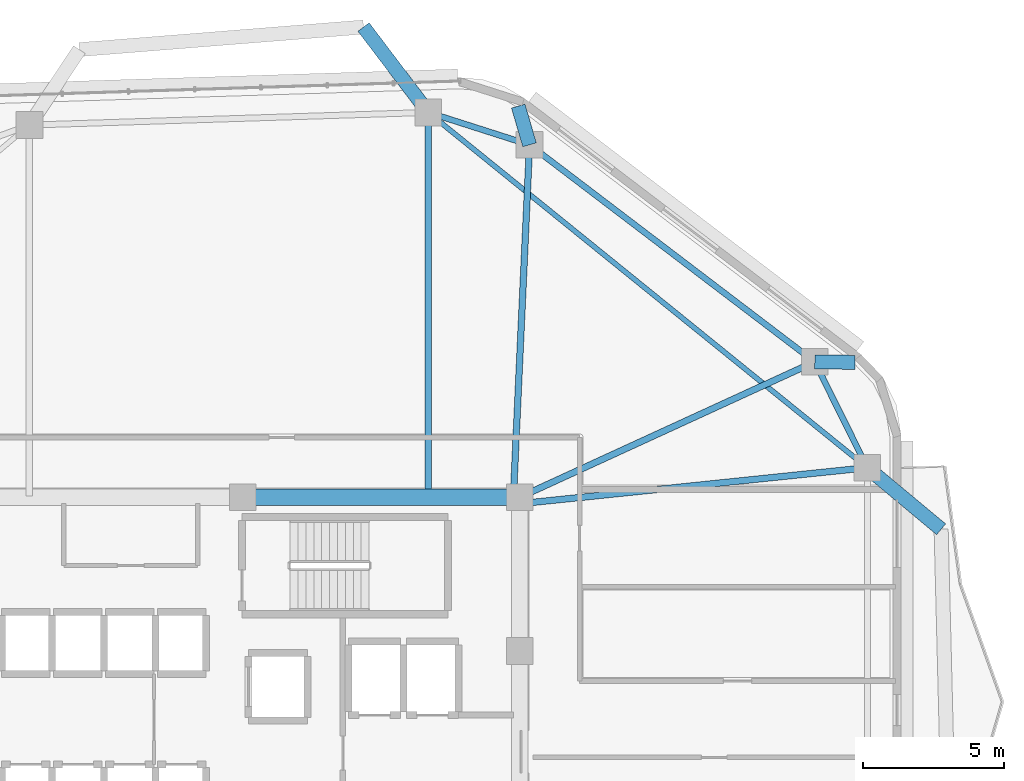
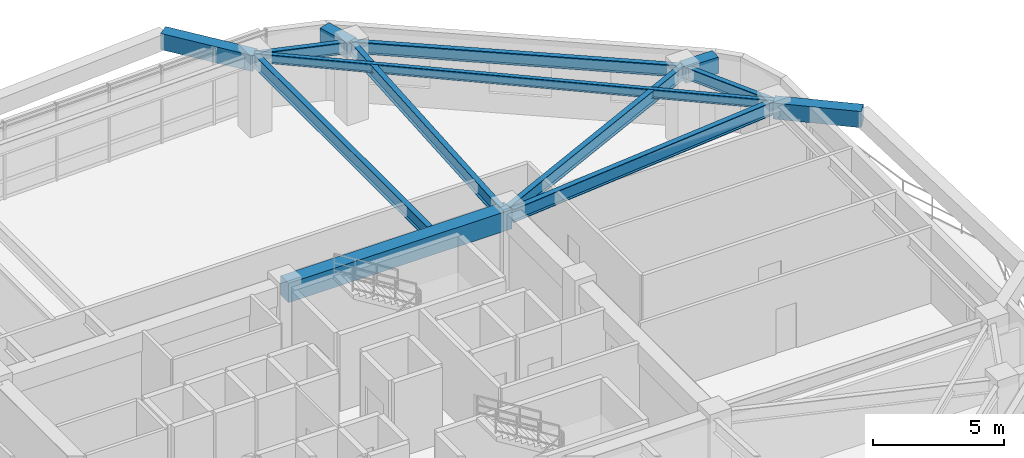
# One storey, part 3 of 12: 13 beams.
"""IFC4 building model written with IfcOpenShell, lengths in metres."""

from ifc_helpers import new_model, si_unit, direction, frame, origin, origin_2d, place, context, subcontext, project, spatial, rectangle, i_section, extrude, material, material_profile, profile_set, type_object, element, save


model = new_model("IFC4")

# Units and contexts
model_context = context("Model", 3, precision=1e-05, world=origin(), true_north=direction((0.0, 1.0)))
body_context = subcontext(model_context, "Body", "Model", "MODEL_VIEW")
ifc_project = project(units=[si_unit("LENGTHUNIT", "METRE"), si_unit("AREAUNIT", "SQUARE_METRE"), si_unit("VOLUMEUNIT", "CUBIC_METRE"), si_unit("PLANEANGLEUNIT", "RADIAN"), si_unit("MASSUNIT", "GRAM", prefix="KILO")], contexts=[model_context])

# Site, building, storey
site_placement = place(None, origin())
site = spatial("IfcSite", under=ifc_project, at=site_placement, CompositionType="ELEMENT")
building_placement = place(site_placement, origin())
building = spatial("IfcBuilding", under=site, at=building_placement, Name="Zulverin Broadcast Headquarters", CompositionType="ELEMENT")
storey_placement = place(building_placement, frame((0.0, 0.0, 170.60009765625)))
storey = spatial("IfcBuildingStorey", under=building, at=storey_placement, Name="L43", CompositionType="ELEMENT", Elevation=170.60009765625)

# Beams
ifc_material_1 = material(Name="Concrete C60/75", Category="concrete")
ifc_material_profile_1 = material_profile(ifc_material_1, rectangle(XDim=0.60009765625, YDim=0.89990234375, at=origin_2d()), Name="Concrete C60/75", Category="concrete")
ifc_profile_set_1 = profile_set([ifc_material_profile_1], Name="Concrete C60/75")
beam_type_1 = type_object("IfcBeamType", Name="BM-CB-600x900", PredefinedType="LINTEL", material=ifc_profile_set_1)
beam_1_placement = place(storey_placement, frame((48.27490234375, 33.074951171875, 3.08984375), z_axis=(-1.0, 0.0, 0.0), x_axis=(0.0, -1.0, 0.0)))
element("IfcBeam", 1, at=beam_1_placement, inside=storey, type_object=beam_type_1, Name="L43 Core Coupling Girder K05-K06", PredefinedType="LINTEL", context=body_context, shape_type="SweptSolid", body=[
    extrude(rectangle(XDim=0.60009765625, YDim=0.89990234375, at=origin_2d()), origin(), (0.0, 0.0, 1.0), 9.824951171875),
])
ifc_material_2 = material(Name="Concrete C40/50", Category="concrete")
ifc_material_profile_2 = material_profile(ifc_material_2, rectangle(XDim=0.5, YDim=0.75, at=origin_2d()), Name="Concrete C40/50", Category="concrete")
ifc_profile_set_2 = profile_set([ifc_material_profile_2], Name="Concrete C40/50")
beam_type_2 = type_object("IfcBeamType", Name="BM-RC-500x750", PredefinedType="BEAM", material=ifc_profile_set_2)
for number, where, z_axis, x_axis, name in (
    (2, (58.738037109375, 37.877685546875, 3.164794921875), (0.99990438472, -0.013828283279, 0.0), (0.013828283279, 0.99990438472, 0.0), "L44 Plate Overhang Back-Spanned Beam OVR-07"),
    (3, (48.62158203125, 45.574951171875, 3.164794921875), (-0.28015077605, 0.959956010804, 0.0), (-0.959956010804, -0.28015077605, 0.0), "L44 Plate Overhang Back-Spanned Beam OVR-08"),
):
    element("IfcBeam", number, at=place(storey_placement, frame(where, z_axis=z_axis, x_axis=x_axis)), inside=storey, type_object=beam_type_2, Name=name, PredefinedType="BEAM", context=body_context, shape_type="SweptSolid", body=[
        extrude(rectangle(XDim=0.5, YDim=0.75, at=origin_2d()), origin(), (0.0, 0.0, 1.0), 1.43017578125),
    ])
beam_2_placement = place(storey_placement, frame((60.60009765625, 34.12158203125, 3.164794921875), z_axis=(0.768414935557, -0.639951941019, 0.0), x_axis=(0.639951941019, 0.768414935557, 0.0)))
element("IfcBeam", 4, at=beam_2_placement, inside=storey, type_object=beam_type_2, Name="L44 Balcony Column-Framed Cantilever BAL_E-2", PredefinedType="BEAM", context=body_context, shape_type="SweptSolid", body=[
    extrude(rectangle(XDim=0.5, YDim=0.75, at=origin_2d()), origin(), (0.0, 0.0, 1.0), 3.409423828125),
])
beam_3_placement = place(storey_placement, frame((45.027587890625, 46.7236328125, 3.164794921875), z_axis=(-0.603735220489, 0.797184911762, 0.0), x_axis=(-0.797184911762, -0.603735220489, 0.0)))
element("IfcBeam", 5, at=beam_3_placement, inside=storey, type_object=beam_type_2, Name="L44 Balcony Column-Framed Cantilever BAL_N-1", PredefinedType="BEAM", context=body_context, shape_type="SweptSolid", body=[
    extrude(rectangle(XDim=0.5, YDim=0.75, at=origin_2d()), origin(), (0.0, 0.0, 1.0), 3.800048828125),
])
ifc_material_3 = material(Name="Structural steel S355JR", Category="steel")
ifc_material_profile_3 = material_profile(ifc_material_3, i_section(OverallWidth=0.179443359375, OverallDepth=0.412841796875, WebThickness=0.009521484375, FlangeThickness=0.01611328125, at=origin_2d()), Name="Structural steel S355JR", Category="steel")
ifc_profile_set_3 = profile_set([ifc_material_profile_3], Name="Structural steel S355JR")
beam_type_3 = type_object("IfcBeamType", Name="BM-UB-406", PredefinedType="JOIST", material=ifc_profile_set_3)
beam_4_placement = place(storey_placement, frame((60.60009765625, 34.12158203125, 3.33349609375), z_axis=(-0.777349017335, 0.629069555175, 0.0), x_axis=(-0.629069555175, -0.777349017335, 0.0)))
element("IfcBeam", 6, at=beam_4_placement, inside=storey, type_object=beam_type_3, Name="L43 Chordal Floor Joist J-02", PredefinedType="JOIST", context=body_context, shape_type="SweptSolid", body=[
    extrude(i_section(OverallWidth=0.179443359375, OverallDepth=0.412841796875, WebThickness=0.009521484375, FlangeThickness=0.01611328125, at=origin_2d()), origin(), (0.0, 0.0, 1.0), 20.032958984375),
])
ifc_material_profile_4 = material_profile(ifc_material_3, i_section(OverallWidth=0.2119140625, OverallDepth=0.54443359375, WebThickness=0.0126953125, FlangeThickness=0.021240234375, at=origin_2d()), Name="Structural steel S355JR", Category="steel")
ifc_profile_set_4 = profile_set([ifc_material_profile_4], Name="Structural steel S355JR")
beam_type_4 = type_object("IfcBeamType", Name="BM-UB-533", PredefinedType="SPANDREL", material=ifc_profile_set_4)
beam_5_placement = place(storey_placement, frame((60.60009765625, 34.12158203125, 3.267578125), z_axis=(-0.444159471033, 0.895947746407, 0.0), x_axis=(-0.895947746407, -0.444159471033, 0.0)))
element("IfcBeam", 7, at=beam_5_placement, inside=storey, type_object=beam_type_4, Name="L43 Perimeter Spandrel Beam SP-06", PredefinedType="SPANDREL", context=body_context, shape_type="SweptSolid", body=[
    extrude(i_section(OverallWidth=0.2119140625, OverallDepth=0.54443359375, WebThickness=0.0126953125, FlangeThickness=0.021240234375, at=origin_2d()), origin(), (0.0, 0.0, 1.0), 4.1923828125),
])
beam_6_placement = place(storey_placement, frame((58.738037109375, 37.877685546875, 3.267578125), z_axis=(-0.795830102505, 0.60551998146, 0.0), x_axis=(-0.60551998146, -0.795830102505, 0.0)))
element("IfcBeam", 8, at=beam_6_placement, inside=storey, type_object=beam_type_4, Name="L43 Perimeter Spandrel Beam SP-07", PredefinedType="SPANDREL", context=body_context, shape_type="SweptSolid", body=[
    extrude(i_section(OverallWidth=0.2119140625, OverallDepth=0.54443359375, WebThickness=0.0126953125, FlangeThickness=0.021240234375, at=origin_2d()), origin(), (0.0, 0.0, 1.0), 12.7119140625),
])
beam_7_placement = place(storey_placement, frame((48.62158203125, 45.574951171875, 3.267578125), z_axis=(-0.952531523781, 0.304439971428, 0.0), x_axis=(-0.304439971428, -0.952531523781, 0.0)))
element("IfcBeam", 9, at=beam_7_placement, inside=storey, type_object=beam_type_4, Name="L43 Perimeter Spandrel Beam SP-08", PredefinedType="SPANDREL", context=body_context, shape_type="SweptSolid", body=[
    extrude(i_section(OverallWidth=0.2119140625, OverallDepth=0.54443359375, WebThickness=0.0126953125, FlangeThickness=0.021240234375, at=origin_2d()), origin(), (0.0, 0.0, 1.0), 3.773193359375),
])
ifc_material_profile_5 = material_profile(ifc_material_3, i_section(OverallWidth=0.230224609375, OverallDepth=0.6171875, WebThickness=0.01318359375, FlangeThickness=0.022216796875, at=origin_2d()), Name="Structural steel S355JR", Category="steel")
ifc_profile_set_5 = profile_set([ifc_material_profile_5], Name="Structural steel S355JR")
beam_type_5 = type_object("IfcBeamType", Name="BM-UB-610", PredefinedType="BEAM", material=ifc_profile_set_5)
beam_8_placement = place(storey_placement, frame((48.324951171875, 32.85009765625, 3.231201171875), z_axis=(0.994678169641, 0.103030766473, 0.0), x_axis=(-0.103030766473, 0.994678169641, 0.0)))
element("IfcBeam", 10, at=beam_8_placement, inside=storey, type_object=beam_type_5, Name="L43 Radial Primary Floor Beam RB-06", PredefinedType="BEAM", context=body_context, shape_type="SweptSolid", body=[
    extrude(i_section(OverallWidth=0.230224609375, OverallDepth=0.6171875, WebThickness=0.01318359375, FlangeThickness=0.022216796875, at=origin_2d()), origin(), (0.0, 0.0, 1.0), 12.3408203125),
])
beam_9_placement = place(storey_placement, frame((48.27490234375, 33.074951171875, 3.231201171875), z_axis=(0.90883007293, 0.417166511764, 0.0), x_axis=(-0.417166511764, 0.90883007293, 0.0)))
element("IfcBeam", 11, at=beam_9_placement, inside=storey, type_object=beam_type_5, Name="L43 Radial Primary Floor Beam RB-07", PredefinedType="BEAM", context=body_context, shape_type="SweptSolid", body=[
    extrude(i_section(OverallWidth=0.230224609375, OverallDepth=0.6171875, WebThickness=0.01318359375, FlangeThickness=0.022216796875, at=origin_2d()), origin(), (0.0, 0.0, 1.0), 11.5126953125),
])
beam_10_placement = place(storey_placement, frame((48.050048828125, 33.125, 3.231201171875), z_axis=(0.045858166026, 0.998947960911, 0.0), x_axis=(-0.998947960911, 0.045858166026, 0.0)))
element("IfcBeam", 12, at=beam_10_placement, inside=storey, type_object=beam_type_5, Name="L43 Radial Primary Floor Beam RB-08", PredefinedType="BEAM", context=body_context, shape_type="SweptSolid", body=[
    extrude(i_section(OverallWidth=0.230224609375, OverallDepth=0.6171875, WebThickness=0.01318359375, FlangeThickness=0.022216796875, at=origin_2d()), origin(), (0.0, 0.0, 1.0), 12.463134765625),
])
beam_11_placement = place(storey_placement, frame((45.027587890625, 33.125, 3.231201171875), z_axis=(0.0, 1.0, 0.0), x_axis=(-1.0, 0.0, 0.0)))
element("IfcBeam", 13, at=beam_11_placement, inside=storey, type_object=beam_type_5, Name="L43 Radial Primary Floor Beam RB-09", PredefinedType="BEAM", context=body_context, shape_type="SweptSolid", body=[
    extrude(i_section(OverallWidth=0.230224609375, OverallDepth=0.6171875, WebThickness=0.01318359375, FlangeThickness=0.022216796875, at=origin_2d()), origin(), (0.0, 0.0, 1.0), 13.5986328125),
])

save(model, "model.ifc")
